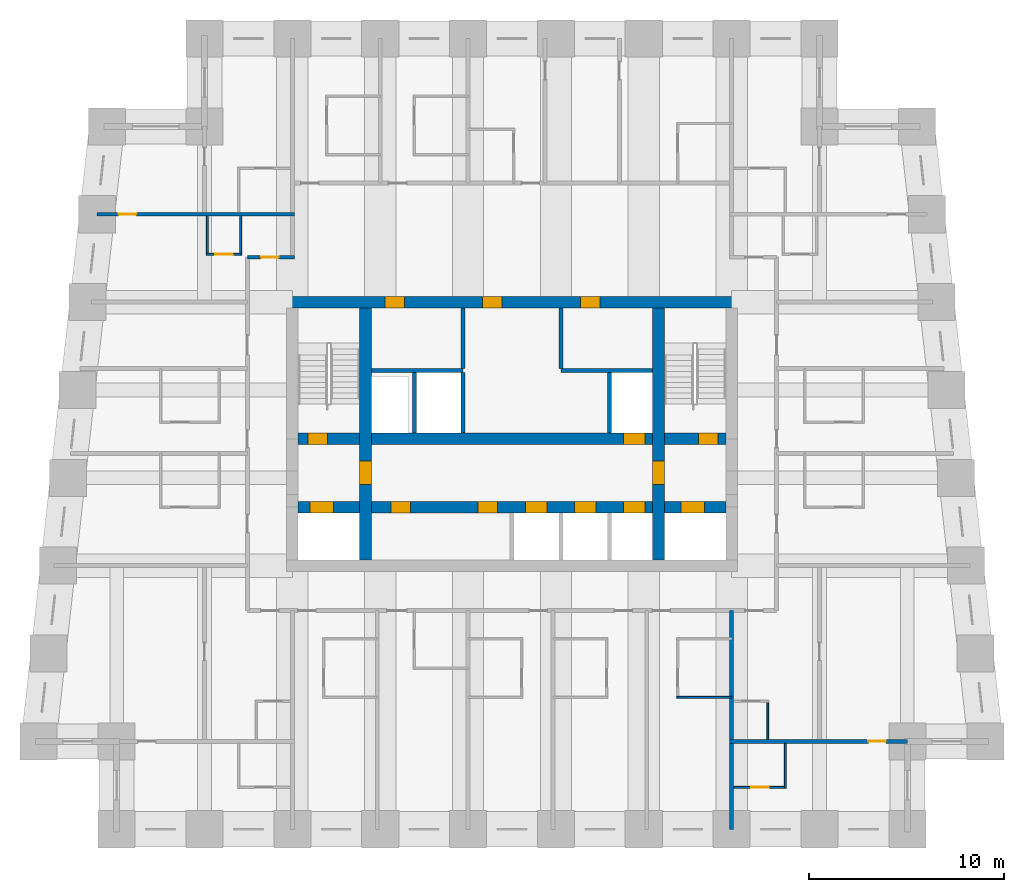
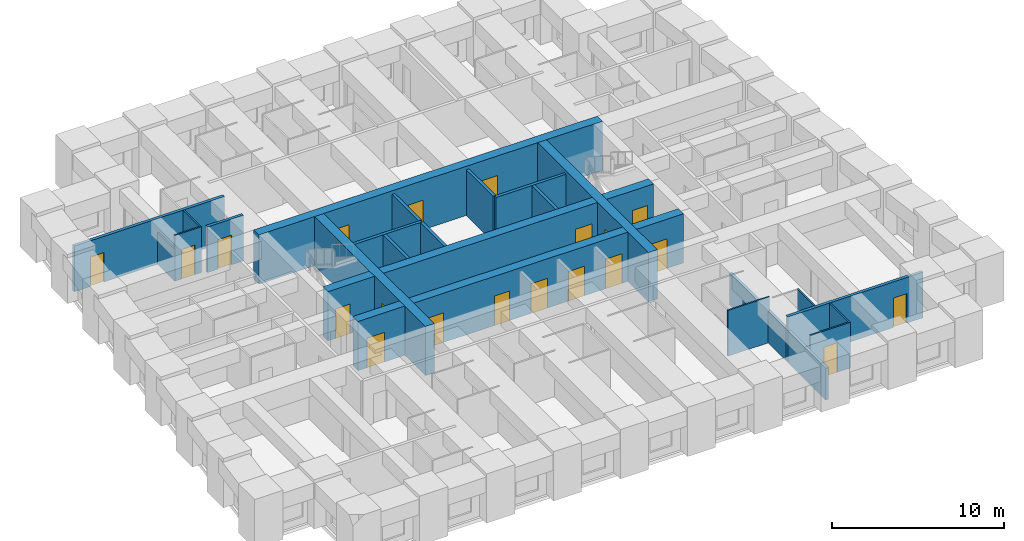
# One storey, part 4 of 8: 23 walls, 20 doors, 20 openings.
"""IFC4 building model written with IfcOpenShell, lengths in metres."""

from ifc_helpers import new_model, si_unit, direction, frame, frame_2d, origin, place, context, subcontext, project, spatial, rectangle, extrude, material, layer, layer_set, type_object, element, fill, save


model = new_model("IFC4")

# Units and contexts
model_context = context("Model", 3, precision=1e-05, world=origin(), true_north=direction((0.0, 1.0)))
body_context = subcontext(model_context, "Body", "Model", "MODEL_VIEW")
ifc_project = project(units=[si_unit("LENGTHUNIT", "METRE"), si_unit("AREAUNIT", "SQUARE_METRE"), si_unit("VOLUMEUNIT", "CUBIC_METRE"), si_unit("PLANEANGLEUNIT", "RADIAN"), si_unit("MASSUNIT", "GRAM", prefix="KILO")], contexts=[model_context])

# Site, building, storey
site_placement = place(None, origin())
site = spatial("IfcSite", under=ifc_project, at=site_placement, CompositionType="ELEMENT")
building_placement = place(site_placement, origin())
building = spatial("IfcBuilding", under=site, at=building_placement, Name="Kilele Tower Hotel", CompositionType="ELEMENT")
storey_placement = place(building_placement, frame((0.0, 0.0, 103.89990234375)))
storey = spatial("IfcBuildingStorey", under=building, at=storey_placement, Name="L26", CompositionType="ELEMENT", Elevation=103.89990234375)

# Walls
ifc_material_1 = material(Name="Moisture-resistant board")
ifc_layer_1 = layer(ifc_material_1, 0.10009765625)
ifc_layer_set_1 = layer_set([ifc_layer_1], Name="Moisture-resistant board")
wall_type_1 = type_object("IfcWallType", Name="Bathroom partition 100", PredefinedType="PLUMBINGWALL", material=ifc_layer_set_1)
wall_1_placement = place(storey_placement, frame((33.199951171875, 6.75, 0.0), z_axis=(0.0, 0.0, 1.0), x_axis=(1.0, 0.0, 0.0)))
element("IfcWall", 1, at=wall_1_placement, inside=storey, type_object=wall_type_1, Name="Bathroom partition 100 L26", PredefinedType="PLUMBINGWALL", context=body_context, shape_type="SweptSolid", body=[
    extrude(rectangle(XDim=2.800048828125, YDim=0.10009765625, at=frame_2d((1.39990234375, 0.0))), origin(), (0.0, 0.0, 1.0), 3.25),
])
wall_2_placement = place(storey_placement, frame((37.85009765625, 4.60009765625, 0.0), z_axis=(0.0, 0.0, 1.0), x_axis=(0.0, 1.0, 0.0)))
element("IfcWall", 2, at=wall_2_placement, inside=storey, type_object=wall_type_1, Name="Bathroom partition 100 L26", PredefinedType="PLUMBINGWALL", context=body_context, shape_type="SweptSolid", body=[
    extrude(rectangle(XDim=2.0, YDim=0.10009765625, at=frame_2d((1.0, 0.0))), origin(), (0.0, 0.0, 1.0), 3.25),
])
wall_3_placement = place(storey_placement, frame((38.75, 4.39990234375, 0.0), z_axis=(0.0, 0.0, 1.0), x_axis=(0.0, -1.0, 0.0)))
element("IfcWall", 3, at=wall_3_placement, inside=storey, type_object=wall_type_1, Name="Bathroom partition 100 L26", PredefinedType="PLUMBINGWALL", context=body_context, shape_type="SweptSolid", body=[
    extrude(rectangle(XDim=2.2998046875, YDim=0.10009765625, at=frame_2d((1.14990234375, 0.0))), origin(), (0.0, 0.0, 1.0), 3.25),
])

# Wall, opening, door
wall_4_placement = place(storey_placement, frame((36.10009765625, 2.14990234375, 0.0), z_axis=(0.0, 0.0, 1.0), x_axis=(1.0, 0.0, 0.0)))
wall_4 = element("IfcWall", 4, at=wall_4_placement, inside=storey, type_object=wall_type_1, Name="Bathroom partition 100 L26", PredefinedType="PLUMBINGWALL", context=body_context, shape_type="SweptSolid", body=[
    extrude(rectangle(XDim=2.699951171875, YDim=0.10009765625, at=frame_2d((1.35009765625, 0.0))), origin(), (0.0, 0.0, 1.0), 3.25),
])
opening_1_placement = place(wall_4_placement, frame((1.7998046875, 0.0, 0.0), z_axis=(0.0, 0.0, 1.0), x_axis=(-1.0, 0.0, 0.0)))
opening_1 = element("IfcOpeningElement", 5, at=opening_1_placement, cuts=wall_4, Name="Opening D2A", PredefinedType="OPENING", context=body_context, shape_type="SweptSolid", body=[
    extrude(rectangle(XDim=0.89990234375, YDim=2.10009765625, at=frame_2d((0.449951171875, 1.050048828125))), frame((0.0, 0.06005859375, 0.0), z_axis=(0.0, -1.0, 0.0), x_axis=(1.0, 0.0, 0.0)), (0.0, 0.0, 1.0), 0.1201171875),
])
ifc_material_2 = material(Name="Timber door leaf in hardwood frame", Category="wood")
door_type_1 = type_object("IfcDoorType", Name="Bathroom door 900", OperationType="SINGLE_SWING_LEFT", PredefinedType="DOOR", material=ifc_material_2)
door_1_placement = place(opening_1_placement, origin())
door_1 = element("IfcDoor", 6, at=door_1_placement, inside=storey, type_object=door_type_1, Name="Bathroom door 2622B", OperationType="SINGLE_SWING_RIGHT", OverallHeight=2.10009765625, OverallWidth=0.89990234375, PredefinedType="DOOR", context=body_context, shape_type="SweptSolid", body=[
    extrude(rectangle(XDim=0.89990234375, YDim=2.10009765625, at=frame_2d((0.449951171875, 1.050048828125))), frame((0.0, 0.02490234375, 0.0), z_axis=(0.0, -1.0, 0.0), x_axis=(1.0, 0.0, 0.0)), (0.0, 0.0, 1.0), 0.050048828125),
])
fill(opening_1, door_1)

# Walls
wall_5_placement = place(storey_placement, frame((9.14990234375, 31.39990234375, 0.0), z_axis=(0.0, 0.0, 1.0), x_axis=(0.0, -1.0, 0.0)))
element("IfcWall", 7, at=wall_5_placement, inside=storey, type_object=wall_type_1, Name="Bathroom partition 100 L26", PredefinedType="PLUMBINGWALL", context=body_context, shape_type="SweptSolid", body=[
    extrude(rectangle(XDim=2.0, YDim=0.10009765625, at=frame_2d((1.0, 0.0))), origin(), (0.0, 0.0, 1.0), 2.25),
])
wall_6_placement = place(storey_placement, frame((10.85009765625, 31.39990234375, 0.0), z_axis=(0.0, 0.0, 1.0), x_axis=(0.0, -1.0, 0.0)))
element("IfcWall", 8, at=wall_6_placement, inside=storey, type_object=wall_type_1, Name="Bathroom partition 100 L26", PredefinedType="PLUMBINGWALL", context=body_context, shape_type="SweptSolid", body=[
    extrude(rectangle(XDim=2.0, YDim=0.10009765625, at=frame_2d((1.0, 0.0))), origin(), (0.0, 0.0, 1.0), 3.25),
])

# Wall, opening, door
wall_7_placement = place(storey_placement, frame((10.89990234375, 29.449951171875, 0.0), z_axis=(0.0, 0.0, 1.0), x_axis=(-1.0, 0.0, 0.0)))
wall_7 = element("IfcWall", 9, at=wall_7_placement, inside=storey, type_object=wall_type_1, Name="Bathroom partition 100 L26", PredefinedType="PLUMBINGWALL", context=body_context, shape_type="SweptSolid", body=[
    extrude(rectangle(XDim=1.7998046875, YDim=0.10009765625, at=frame_2d((0.89990234375, 0.0))), origin(), (0.0, 0.0, 1.0), 3.25),
])
opening_2_placement = place(wall_7_placement, frame((0.449951171875, 0.0, 0.0)))
opening_2 = element("IfcOpeningElement", 10, at=opening_2_placement, cuts=wall_7, Name="Opening D2A", PredefinedType="OPENING", context=body_context, shape_type="SweptSolid", body=[
    extrude(rectangle(XDim=0.89990234375, YDim=2.10009765625, at=frame_2d((0.449951171875, 1.050048828125))), frame((0.0, 0.06005859375, 0.0), z_axis=(0.0, -1.0, 0.0), x_axis=(1.0, 0.0, 0.0)), (0.0, 0.0, 1.0), 0.1201171875),
])
door_2_placement = place(opening_2_placement, origin())
door_2 = element("IfcDoor", 11, at=door_2_placement, inside=storey, type_object=door_type_1, Name="Bathroom door 2626P", OperationType="SINGLE_SWING_LEFT", OverallHeight=2.10009765625, OverallWidth=0.89990234375, PredefinedType="DOOR", context=body_context, shape_type="SweptSolid", body=[
    extrude(rectangle(XDim=0.89990234375, YDim=2.10009765625, at=frame_2d((0.449951171875, 1.050048828125))), frame((0.0, 0.02490234375, 0.0), z_axis=(0.0, -1.0, 0.0), x_axis=(1.0, 0.0, 0.0)), (0.0, 0.0, 1.0), 0.050048828125),
])
fill(opening_2, door_2)

# Wall, openings, doors
ifc_material_3 = material(Name="Concrete C60/75", Category="concrete")
ifc_layer_2 = layer(ifc_material_3, 0.60009765625)
ifc_layer_set_2 = layer_set([ifc_layer_2], Name="Concrete C60/75")
wall_type_2 = type_object("IfcWallType", Name="Core wall 600 C60/75", PredefinedType="SHEAR", material=ifc_layer_set_2)
wall_8_placement = place(storey_placement, frame((36.300048828125, 27.0, 0.0), z_axis=(0.0, 0.0, 1.0), x_axis=(-1.0, 0.0, 0.0)))
wall_8 = element("IfcWall", 12, at=wall_8_placement, inside=storey, type_object=wall_type_2, Name="Core wall N L26", PredefinedType="SHEAR", context=body_context, shape_type="SweptSolid", body=[
    extrude(rectangle(XDim=23.10009765625, YDim=0.60009765625, at=frame_2d((11.550048828125, 0.0))), origin(), (0.0, 0.0, 1.0), 3.5),
])
opening_3_placement = place(wall_8_placement, frame((17.050048828125, 0.0, 0.0)))
opening_3 = element("IfcOpeningElement", 13, at=opening_3_placement, cuts=wall_8, Name="Opening D6", PredefinedType="OPENING", context=body_context, shape_type="SweptSolid", body=[
    extrude(rectangle(XDim=1.0, YDim=2.10009765625, at=frame_2d((0.5, 1.050048828125))), frame((0.0, 0.31005859375, 0.0), z_axis=(0.0, -1.0, 0.0), x_axis=(1.0, 0.0, 0.0)), (0.0, 0.0, 1.0), 0.6201171875),
])
opening_4_placement = place(wall_8_placement, frame((12.050048828125, 0.0, 0.0)))
opening_4 = element("IfcOpeningElement", 14, at=opening_4_placement, cuts=wall_8, Name="Opening D6", PredefinedType="OPENING", context=body_context, shape_type="SweptSolid", body=[
    extrude(rectangle(XDim=1.0, YDim=2.10009765625, at=frame_2d((0.5, 1.050048828125))), frame((0.0, 0.31005859375, 0.0), z_axis=(0.0, -1.0, 0.0), x_axis=(1.0, 0.0, 0.0)), (0.0, 0.0, 1.0), 0.6201171875),
])
opening_5_placement = place(wall_8_placement, frame((7.050048828125, 0.0, 0.0)))
opening_5 = element("IfcOpeningElement", 15, at=opening_5_placement, cuts=wall_8, Name="Opening D6", PredefinedType="OPENING", context=body_context, shape_type="SweptSolid", body=[
    extrude(rectangle(XDim=1.0, YDim=2.10009765625, at=frame_2d((0.5, 1.050048828125))), frame((0.0, 0.31005859375, 0.0), z_axis=(0.0, -1.0, 0.0), x_axis=(1.0, 0.0, 0.0)), (0.0, 0.0, 1.0), 0.6201171875),
])
ifc_material_4 = material(Name="Timber door leaf in hardwood frame", Category="wood")
door_type_2 = type_object("IfcDoorType", Name="Riser door 1000", OperationType="SINGLE_SWING_LEFT", PredefinedType="DOOR", material=ifc_material_4)
door_3_placement = place(opening_3_placement, origin())
door_3 = element("IfcDoor", 16, at=door_3_placement, inside=storey, type_object=door_type_2, Name="Service riser door L26", OperationType="SINGLE_SWING_RIGHT", OverallHeight=2.10009765625, OverallWidth=1.0, PredefinedType="DOOR", context=body_context, shape_type="SweptSolid", body=[
    extrude(rectangle(XDim=1.0, YDim=2.10009765625, at=frame_2d((0.5, 1.050048828125))), frame((0.0, 0.2998046875, 0.0), z_axis=(0.0, -1.0, 0.0), x_axis=(1.0, 0.0, 0.0)), (0.0, 0.0, 1.0), 0.599609375),
])
fill(opening_3, door_3)
door_4_placement = place(opening_4_placement, origin())
door_4 = element("IfcDoor", 17, at=door_4_placement, inside=storey, type_object=door_type_2, Name="Housekeeping linen room door L26", OperationType="SINGLE_SWING_RIGHT", OverallHeight=2.10009765625, OverallWidth=1.0, PredefinedType="DOOR", context=body_context, shape_type="SweptSolid", body=[
    extrude(rectangle(XDim=1.0, YDim=2.10009765625, at=frame_2d((0.5, 1.050048828125))), frame((0.0, 0.2998046875, 0.0), z_axis=(0.0, -1.0, 0.0), x_axis=(1.0, 0.0, 0.0)), (0.0, 0.0, 1.0), 0.599609375),
])
fill(opening_4, door_4)
door_5_placement = place(opening_5_placement, origin())
door_5 = element("IfcDoor", 18, at=door_5_placement, inside=storey, type_object=door_type_2, Name="Electrical riser door L26", OperationType="SINGLE_SWING_RIGHT", OverallHeight=2.10009765625, OverallWidth=1.0, PredefinedType="DOOR", context=body_context, shape_type="SweptSolid", body=[
    extrude(rectangle(XDim=1.0, YDim=2.10009765625, at=frame_2d((0.5, 1.050048828125))), frame((0.0, 0.2998046875, 0.0), z_axis=(0.0, -1.0, 0.0), x_axis=(1.0, 0.0, 0.0)), (0.0, 0.0, 1.0), 0.599609375),
])
fill(opening_5, door_5)

# Wall, opening, door
wall_9_placement = place(storey_placement, frame((17.25, 13.800048828125, 0.0), z_axis=(0.0, 0.0, 1.0), x_axis=(0.0, 1.0, 0.0)))
wall_9 = element("IfcWall", 19, at=wall_9_placement, inside=storey, type_object=wall_type_2, Name="Core wall IW L26", PredefinedType="SHEAR", context=body_context, shape_type="SweptSolid", body=[
    extrude(rectangle(XDim=12.89990234375, YDim=0.60009765625, at=frame_2d((6.449951171875, 0.0))), origin(), (0.0, 0.0, 1.0), 3.5),
])
opening_6_placement = place(wall_9_placement, frame((3.85009765625, 0.0, 0.0)))
opening_6 = element("IfcOpeningElement", 20, at=opening_6_placement, cuts=wall_9, Name="Opening D4", PredefinedType="OPENING", context=body_context, shape_type="SweptSolid", body=[
    extrude(rectangle(XDim=1.199951171875, YDim=2.10009765625, at=frame_2d((0.60009765625, 1.050048828125))), frame((0.0, 0.31005859375, 0.0), z_axis=(0.0, -1.0, 0.0), x_axis=(1.0, 0.0, 0.0)), (0.0, 0.0, 1.0), 0.6201171875),
])
ifc_material_5 = material(Name="Timber door leaf in hardwood frame", Category="wood")
door_type_3 = type_object("IfcDoorType", Name="Firefighting lobby door 1200", OperationType="SINGLE_SWING_LEFT", PredefinedType="DOOR", material=ifc_material_5)
door_6_placement = place(opening_6_placement, origin())
door_6 = element("IfcDoor", 21, at=door_6_placement, inside=storey, type_object=door_type_3, Name="Lobby door L26", OperationType="SINGLE_SWING_LEFT", OverallHeight=2.10009765625, OverallWidth=1.199951171875, PredefinedType="DOOR", context=body_context, shape_type="SweptSolid", body=[
    extrude(rectangle(XDim=1.199951171875, YDim=2.10009765625, at=frame_2d((0.60009765625, 1.050048828125))), frame((0.0, 0.2998046875, 0.0), z_axis=(0.0, -1.0, 0.0), x_axis=(1.0, 0.0, 0.0)), (0.0, 0.0, 1.0), 0.599609375),
])
fill(opening_6, door_6)

wall_10_placement = place(storey_placement, frame((32.25, 13.800048828125, 0.0), z_axis=(0.0, 0.0, 1.0), x_axis=(0.0, 1.0, 0.0)))
wall_10 = element("IfcWall", 22, at=wall_10_placement, inside=storey, type_object=wall_type_2, Name="Core wall IE L26", PredefinedType="SHEAR", context=body_context, shape_type="SweptSolid", body=[
    extrude(rectangle(XDim=12.89990234375, YDim=0.60009765625, at=frame_2d((6.449951171875, 0.0))), origin(), (0.0, 0.0, 1.0), 3.5),
])
opening_7_placement = place(wall_10_placement, frame((5.050048828125, 0.0, 0.0), z_axis=(0.0, 0.0, 1.0), x_axis=(-1.0, 0.0, 0.0)))
opening_7 = element("IfcOpeningElement", 23, at=opening_7_placement, cuts=wall_10, Name="Opening D4", PredefinedType="OPENING", context=body_context, shape_type="SweptSolid", body=[
    extrude(rectangle(XDim=1.199951171875, YDim=2.10009765625, at=frame_2d((0.60009765625, 1.050048828125))), frame((0.0, 0.31005859375, 0.0), z_axis=(0.0, -1.0, 0.0), x_axis=(1.0, 0.0, 0.0)), (0.0, 0.0, 1.0), 0.6201171875),
])
door_7_placement = place(opening_7_placement, origin())
door_7 = element("IfcDoor", 24, at=door_7_placement, inside=storey, type_object=door_type_3, Name="Lobby door L26", OperationType="SINGLE_SWING_RIGHT", OverallHeight=2.10009765625, OverallWidth=1.199951171875, PredefinedType="DOOR", context=body_context, shape_type="SweptSolid", body=[
    extrude(rectangle(XDim=1.199951171875, YDim=2.10009765625, at=frame_2d((0.60009765625, 1.050048828125))), frame((0.0, 0.2998046875, 0.0), z_axis=(0.0, -1.0, 0.0), x_axis=(1.0, 0.0, 0.0)), (0.0, 0.0, 1.0), 0.599609375),
])
fill(opening_7, door_7)

# Wall, openings, doors
wall_11_placement = place(storey_placement, frame((13.800048828125, 16.5, 0.0), z_axis=(0.0, 0.0, 1.0), x_axis=(1.0, 0.0, 0.0)))
wall_11 = element("IfcWall", 25, at=wall_11_placement, inside=storey, type_object=wall_type_2, Name="Core wall LS L26", PredefinedType="SHEAR", context=body_context, shape_type="SweptSolid", body=[
    extrude(rectangle(XDim=21.89990234375, YDim=0.60009765625, at=frame_2d((10.949951171875, 0.0))), origin(), (0.0, 0.0, 1.0), 3.5),
])
opening_8_placement = place(wall_11_placement, frame((11.64990234375, 0.0, 0.0)))
opening_8 = element("IfcOpeningElement", 26, at=opening_8_placement, cuts=wall_11, Name="Opening LD1", PredefinedType="OPENING", context=body_context, shape_type="SweptSolid", body=[
    extrude(rectangle(XDim=1.10009765625, YDim=2.10009765625, at=frame_2d((0.550048828125, 1.050048828125))), frame((0.0, 0.31005859375, 0.0), z_axis=(0.0, -1.0, 0.0), x_axis=(1.0, 0.0, 0.0)), (0.0, 0.0, 1.0), 0.6201171875),
])
opening_9_placement = place(wall_11_placement, frame((14.14990234375, 0.0, 0.0)))
opening_9 = element("IfcOpeningElement", 27, at=opening_9_placement, cuts=wall_11, Name="Opening LD1", PredefinedType="OPENING", context=body_context, shape_type="SweptSolid", body=[
    extrude(rectangle(XDim=1.10009765625, YDim=2.10009765625, at=frame_2d((0.550048828125, 1.050048828125))), frame((0.0, 0.31005859375, 0.0), z_axis=(0.0, -1.0, 0.0), x_axis=(1.0, 0.0, 0.0)), (0.0, 0.0, 1.0), 0.6201171875),
])
opening_10_placement = place(wall_11_placement, frame((16.64990234375, 0.0, 0.0)))
opening_10 = element("IfcOpeningElement", 28, at=opening_10_placement, cuts=wall_11, Name="Opening LD1", PredefinedType="OPENING", context=body_context, shape_type="SweptSolid", body=[
    extrude(rectangle(XDim=1.10009765625, YDim=2.10009765625, at=frame_2d((0.550048828125, 1.050048828125))), frame((0.0, 0.31005859375, 0.0), z_axis=(0.0, -1.0, 0.0), x_axis=(1.0, 0.0, 0.0)), (0.0, 0.0, 1.0), 0.6201171875),
])
opening_11_placement = place(wall_11_placement, frame((5.75, 0.0, 0.0), z_axis=(0.0, 0.0, 1.0), x_axis=(-1.0, 0.0, 0.0)))
opening_11 = element("IfcOpeningElement", 29, at=opening_11_placement, cuts=wall_11, Name="Opening D11", PredefinedType="OPENING", context=body_context, shape_type="SweptSolid", body=[
    extrude(rectangle(XDim=1.0, YDim=2.10009765625, at=frame_2d((0.5, 1.050048828125))), frame((0.0, 0.31005859375, 0.0), z_axis=(0.0, -1.0, 0.0), x_axis=(1.0, 0.0, 0.0)), (0.0, 0.0, 1.0), 0.6201171875),
])
opening_12_placement = place(wall_11_placement, frame((10.199951171875, 0.0, 0.0), z_axis=(0.0, 0.0, 1.0), x_axis=(-1.0, 0.0, 0.0)))
opening_12 = element("IfcOpeningElement", 30, at=opening_12_placement, cuts=wall_11, Name="Opening D11", PredefinedType="OPENING", context=body_context, shape_type="SweptSolid", body=[
    extrude(rectangle(XDim=1.0, YDim=2.10009765625, at=frame_2d((0.5, 1.050048828125))), frame((0.0, 0.31005859375, 0.0), z_axis=(0.0, -1.0, 0.0), x_axis=(1.0, 0.0, 0.0)), (0.0, 0.0, 1.0), 0.6201171875),
])
opening_13_placement = place(wall_11_placement, frame((0.60009765625, 0.0, 0.0)))
opening_13 = element("IfcOpeningElement", 31, at=opening_13_placement, cuts=wall_11, Name="Opening LD2", PredefinedType="OPENING", context=body_context, shape_type="SweptSolid", body=[
    extrude(rectangle(XDim=1.199951171875, YDim=2.10009765625, at=frame_2d((0.60009765625, 1.050048828125))), frame((0.0, 0.31005859375, 0.0), z_axis=(0.0, -1.0, 0.0), x_axis=(1.0, 0.0, 0.0)), (0.0, 0.0, 1.0), 0.6201171875),
])
opening_14_placement = place(wall_11_placement, frame((19.60009765625, 0.0, 0.0)))
opening_14 = element("IfcOpeningElement", 32, at=opening_14_placement, cuts=wall_11, Name="Opening LD2", PredefinedType="OPENING", context=body_context, shape_type="SweptSolid", body=[
    extrude(rectangle(XDim=1.199951171875, YDim=2.10009765625, at=frame_2d((0.60009765625, 1.050048828125))), frame((0.0, 0.31005859375, 0.0), z_axis=(0.0, -1.0, 0.0), x_axis=(1.0, 0.0, 0.0)), (0.0, 0.0, 1.0), 0.6201171875),
])
ifc_material_6 = material(Name="Timber door leaf in hardwood frame", Category="wood")
door_type_4 = type_object("IfcDoorType", Name="Core store door 1000", OperationType="SINGLE_SWING_LEFT", PredefinedType="DOOR", material=ifc_material_6)
door_8_placement = place(opening_11_placement, origin())
door_8 = element("IfcDoor", 33, at=door_8_placement, inside=storey, type_object=door_type_4, Name="Core room door L1 L26", OperationType="SINGLE_SWING_RIGHT", OverallHeight=2.10009765625, OverallWidth=1.0, PredefinedType="DOOR", context=body_context, shape_type="SweptSolid", body=[
    extrude(rectangle(XDim=1.0, YDim=2.10009765625, at=frame_2d((0.5, 1.050048828125))), frame((0.0, 0.2998046875, 0.0), z_axis=(0.0, -1.0, 0.0), x_axis=(1.0, 0.0, 0.0)), (0.0, 0.0, 1.0), 0.599609375),
])
fill(opening_11, door_8)
door_9_placement = place(opening_12_placement, origin())
door_9 = element("IfcDoor", 34, at=door_9_placement, inside=storey, type_object=door_type_4, Name="Core room door L3 L26", OperationType="SINGLE_SWING_LEFT", OverallHeight=2.10009765625, OverallWidth=1.0, PredefinedType="DOOR", context=body_context, shape_type="SweptSolid", body=[
    extrude(rectangle(XDim=1.0, YDim=2.10009765625, at=frame_2d((0.5, 1.050048828125))), frame((0.0, 0.2998046875, 0.0), z_axis=(0.0, -1.0, 0.0), x_axis=(1.0, 0.0, 0.0)), (0.0, 0.0, 1.0), 0.599609375),
])
fill(opening_12, door_9)
ifc_material_7 = material(Name="Steel lift landing door", Category="steel")
door_type_5 = type_object("IfcDoorType", Name="Firefighting lift landing door 1200", OperationType="SLIDING_TO_LEFT", PredefinedType="DOOR", material=ifc_material_7)
door_10_placement = place(opening_13_placement, origin())
door_10 = element("IfcDoor", 35, at=door_10_placement, inside=storey, type_object=door_type_5, Name="Landing door FFW L26", OperationType="SLIDING_TO_LEFT", OverallHeight=2.10009765625, OverallWidth=1.199951171875, PredefinedType="DOOR", context=body_context, shape_type="SweptSolid", body=[
    extrude(rectangle(XDim=1.199951171875, YDim=2.10009765625, at=frame_2d((0.60009765625, 1.050048828125))), frame((0.0, 0.2998046875, 0.0), z_axis=(0.0, -1.0, 0.0), x_axis=(1.0, 0.0, 0.0)), (0.0, 0.0, 1.0), 0.599609375),
])
fill(opening_13, door_10)
door_11_placement = place(opening_14_placement, origin())
door_11 = element("IfcDoor", 36, at=door_11_placement, inside=storey, type_object=door_type_5, Name="Landing door FFE L26", OperationType="SLIDING_TO_LEFT", OverallHeight=2.10009765625, OverallWidth=1.199951171875, PredefinedType="DOOR", context=body_context, shape_type="SweptSolid", body=[
    extrude(rectangle(XDim=1.199951171875, YDim=2.10009765625, at=frame_2d((0.60009765625, 1.050048828125))), frame((0.0, 0.2998046875, 0.0), z_axis=(0.0, -1.0, 0.0), x_axis=(1.0, 0.0, 0.0)), (0.0, 0.0, 1.0), 0.599609375),
])
fill(opening_14, door_11)
ifc_material_8 = material(Name="Steel lift landing door", Category="steel")
door_type_6 = type_object("IfcDoorType", Name="Lift landing door 1100", OperationType="SLIDING_TO_LEFT", PredefinedType="DOOR", material=ifc_material_8)
door_12_placement = place(opening_8_placement, origin())
door_12 = element("IfcDoor", 37, at=door_12_placement, inside=storey, type_object=door_type_6, Name="Landing door M1 L26", OperationType="SLIDING_TO_LEFT", OverallHeight=2.10009765625, OverallWidth=1.10009765625, PredefinedType="DOOR", context=body_context, shape_type="SweptSolid", body=[
    extrude(rectangle(XDim=1.10009765625, YDim=2.10009765625, at=frame_2d((0.550048828125, 1.050048828125))), frame((0.0, 0.2998046875, 0.0), z_axis=(0.0, -1.0, 0.0), x_axis=(1.0, 0.0, 0.0)), (0.0, 0.0, 1.0), 0.599609375),
])
fill(opening_8, door_12)
door_13_placement = place(opening_9_placement, origin())
door_13 = element("IfcDoor", 38, at=door_13_placement, inside=storey, type_object=door_type_6, Name="Landing door M2 L26", OperationType="SLIDING_TO_LEFT", OverallHeight=2.10009765625, OverallWidth=1.10009765625, PredefinedType="DOOR", context=body_context, shape_type="SweptSolid", body=[
    extrude(rectangle(XDim=1.10009765625, YDim=2.10009765625, at=frame_2d((0.550048828125, 1.050048828125))), frame((0.0, 0.2998046875, 0.0), z_axis=(0.0, -1.0, 0.0), x_axis=(1.0, 0.0, 0.0)), (0.0, 0.0, 1.0), 0.599609375),
])
fill(opening_9, door_13)
door_14_placement = place(opening_10_placement, origin())
door_14 = element("IfcDoor", 39, at=door_14_placement, inside=storey, type_object=door_type_6, Name="Landing door M3 L26", OperationType="SLIDING_TO_LEFT", OverallHeight=2.10009765625, OverallWidth=1.10009765625, PredefinedType="DOOR", context=body_context, shape_type="SweptSolid", body=[
    extrude(rectangle(XDim=1.10009765625, YDim=2.10009765625, at=frame_2d((0.550048828125, 1.050048828125))), frame((0.0, 0.2998046875, 0.0), z_axis=(0.0, -1.0, 0.0), x_axis=(1.0, 0.0, 0.0)), (0.0, 0.0, 1.0), 0.599609375),
])
fill(opening_10, door_14)

wall_12_placement = place(storey_placement, frame((13.800048828125, 20.0, 0.0), z_axis=(0.0, 0.0, 1.0), x_axis=(1.0, 0.0, 0.0)))
wall_12 = element("IfcWall", 40, at=wall_12_placement, inside=storey, type_object=wall_type_2, Name="Core wall LN L26", PredefinedType="SHEAR", context=body_context, shape_type="SweptSolid", body=[
    extrude(rectangle(XDim=21.89990234375, YDim=0.60009765625, at=frame_2d((10.949951171875, 0.0))), origin(), (0.0, 0.0, 1.0), 3.5),
])
opening_15_placement = place(wall_12_placement, frame((0.5, 0.0, 0.0)))
opening_15 = element("IfcOpeningElement", 41, at=opening_15_placement, cuts=wall_12, Name="Opening D5", PredefinedType="OPENING", context=body_context, shape_type="SweptSolid", body=[
    extrude(rectangle(XDim=1.0, YDim=2.10009765625, at=frame_2d((0.5, 1.050048828125))), frame((0.0, 0.31005859375, 0.0), z_axis=(0.0, -1.0, 0.0), x_axis=(1.0, 0.0, 0.0)), (0.0, 0.0, 1.0), 0.6201171875),
])
opening_16_placement = place(wall_12_placement, frame((20.5, 0.0, 0.0)))
opening_16 = element("IfcOpeningElement", 42, at=opening_16_placement, cuts=wall_12, Name="Opening D5", PredefinedType="OPENING", context=body_context, shape_type="SweptSolid", body=[
    extrude(rectangle(XDim=1.0, YDim=2.10009765625, at=frame_2d((0.5, 1.050048828125))), frame((0.0, 0.31005859375, 0.0), z_axis=(0.0, -1.0, 0.0), x_axis=(1.0, 0.0, 0.0)), (0.0, 0.0, 1.0), 0.6201171875),
])
opening_17_placement = place(wall_12_placement, frame((16.64990234375, 0.0, 0.0)))
opening_17 = element("IfcOpeningElement", 43, at=opening_17_placement, cuts=wall_12, Name="Opening LD1", PredefinedType="OPENING", context=body_context, shape_type="SweptSolid", body=[
    extrude(rectangle(XDim=1.10009765625, YDim=2.10009765625, at=frame_2d((0.550048828125, 1.050048828125))), frame((0.0, 0.31005859375, 0.0), z_axis=(0.0, -1.0, 0.0), x_axis=(1.0, 0.0, 0.0)), (0.0, 0.0, 1.0), 0.6201171875),
])
door_15_placement = place(opening_17_placement, origin())
door_15 = element("IfcDoor", 44, at=door_15_placement, inside=storey, type_object=door_type_6, Name="Landing door G1 L26", OperationType="SLIDING_TO_LEFT", OverallHeight=2.10009765625, OverallWidth=1.10009765625, PredefinedType="DOOR", context=body_context, shape_type="SweptSolid", body=[
    extrude(rectangle(XDim=1.10009765625, YDim=2.10009765625, at=frame_2d((0.550048828125, 1.050048828125))), frame((0.0, 0.2998046875, 0.0), z_axis=(0.0, -1.0, 0.0), x_axis=(1.0, 0.0, 0.0)), (0.0, 0.0, 1.0), 0.599609375),
])
fill(opening_17, door_15)
ifc_material_9 = material(Name="Timber door leaf in hardwood frame", Category="wood")
door_type_7 = type_object("IfcDoorType", Name="Stair door 1000", OperationType="SINGLE_SWING_LEFT", PredefinedType="DOOR", material=ifc_material_9)
door_16_placement = place(opening_15_placement, origin())
door_16 = element("IfcDoor", 45, at=door_16_placement, inside=storey, type_object=door_type_7, Name="Stair 1 door L26", OperationType="SINGLE_SWING_LEFT", OverallHeight=2.10009765625, OverallWidth=1.0, PredefinedType="DOOR", context=body_context, shape_type="SweptSolid", body=[
    extrude(rectangle(XDim=1.0, YDim=2.10009765625, at=frame_2d((0.5, 1.050048828125))), frame((0.0, 0.2998046875, 0.0), z_axis=(0.0, -1.0, 0.0), x_axis=(1.0, 0.0, 0.0)), (0.0, 0.0, 1.0), 0.599609375),
])
fill(opening_15, door_16)
door_17_placement = place(opening_16_placement, origin())
door_17 = element("IfcDoor", 46, at=door_17_placement, inside=storey, type_object=door_type_7, Name="Stair 2 door L26", OperationType="SINGLE_SWING_RIGHT", OverallHeight=2.10009765625, OverallWidth=1.0, PredefinedType="DOOR", context=body_context, shape_type="SweptSolid", body=[
    extrude(rectangle(XDim=1.0, YDim=2.10009765625, at=frame_2d((0.5, 1.050048828125))), frame((0.0, 0.2998046875, 0.0), z_axis=(0.0, -1.0, 0.0), x_axis=(1.0, 0.0, 0.0)), (0.0, 0.0, 1.0), 0.599609375),
])
fill(opening_16, door_17)

# Wall, opening, door
ifc_material_10 = material(Name="Blockwork, plastered both sides", Category="masonry")
ifc_layer_3 = layer(ifc_material_10, 0.199951171875)
ifc_layer_set_3 = layer_set([ifc_layer_3], Name="Blockwork, plastered both sides")
wall_type_3 = type_object("IfcWallType", Name="Corridor wall 200", PredefinedType="PARTITIONING", material=ifc_layer_set_3)
wall_13_placement = place(storey_placement, frame((11.199951171875, 29.300048828125, 0.0), z_axis=(0.0, 0.0, 1.0), x_axis=(1.0, 0.0, 0.0)))
wall_13 = element("IfcWall", 47, at=wall_13_placement, inside=storey, type_object=wall_type_3, Name="Corridor wall 200 L26", PredefinedType="PARTITIONING", context=body_context, shape_type="SweptSolid", body=[
    extrude(rectangle(XDim=2.400146484375, YDim=0.199951171875, at=frame_2d((1.2001953125, 0.0))), origin(), (0.0, 0.0, 1.0), 3.25),
])
opening_18_placement = place(wall_13_placement, frame((0.699951171875, 0.0, 0.0)))
opening_18 = element("IfcOpeningElement", 48, at=opening_18_placement, cuts=wall_13, Name="Opening D1", PredefinedType="OPENING", context=body_context, shape_type="SweptSolid", body=[
    extrude(rectangle(XDim=0.89990234375, YDim=2.10009765625, at=frame_2d((0.449951171875, 1.050048828125))), frame((0.0, 0.10986328125, 0.0), z_axis=(0.0, -1.0, 0.0), x_axis=(1.0, 0.0, 0.0)), (0.0, 0.0, 1.0), 0.219970703125),
])
ifc_material_11 = material(Name="Timber door leaf in hardwood frame", Category="wood")
door_type_8 = type_object("IfcDoorType", Name="Guest room entrance door 900", OperationType="SINGLE_SWING_LEFT", PredefinedType="DOOR", material=ifc_material_11)
door_18_placement = place(opening_18_placement, origin())
door_18 = element("IfcDoor", 49, at=door_18_placement, inside=storey, type_object=door_type_8, Name="Room entrance 2626", OperationType="SINGLE_SWING_RIGHT", OverallHeight=2.10009765625, OverallWidth=0.89990234375, PredefinedType="DOOR", context=body_context, shape_type="SweptSolid", body=[
    extrude(rectangle(XDim=0.89990234375, YDim=2.10009765625, at=frame_2d((0.449951171875, 1.050048828125))), frame((0.0, 0.02490234375, 0.0), z_axis=(0.0, -1.0, 0.0), x_axis=(1.0, 0.0, 0.0)), (0.0, 0.0, 1.0), 0.050048828125),
])
fill(opening_18, door_18)

# Wall
ifc_material_12 = material(Name="Blockwork, plastered both sides", Category="masonry")
ifc_layer_4 = layer(ifc_material_12, 0.199951171875)
ifc_layer_set_4 = layer_set([ifc_layer_4], Name="Blockwork, plastered both sides")
wall_type_4 = type_object("IfcWallType", Name="Party wall 200", PredefinedType="PARTITIONING", material=ifc_layer_set_4)
wall_14_placement = place(storey_placement, frame((36.0, 11.199951171875, 0.0), z_axis=(0.0, 0.0, 1.0), x_axis=(0.0, -1.0, 0.0)))
element("IfcWall", 50, at=wall_14_placement, inside=storey, type_object=wall_type_4, Name="Party wall 200 L26", PredefinedType="PARTITIONING", context=body_context, shape_type="SweptSolid", body=[
    extrude(rectangle(XDim=11.199951171875, YDim=0.199951171875, at=frame_2d((5.60009765625, 0.0))), origin(), (0.0, 0.0, 1.0), 2.25),
])

# Wall, opening, door
wall_15_placement = place(storey_placement, frame((35.89990234375, 4.5, 0.0), z_axis=(0.0, 0.0, 1.0), x_axis=(1.0, 0.0, 0.0)))
wall_15 = element("IfcWall", 51, at=wall_15_placement, inside=storey, type_object=wall_type_4, Name="Party wall 200 L26", PredefinedType="PARTITIONING", context=body_context, shape_type="SweptSolid", body=[
    extrude(rectangle(XDim=9.10009765625, YDim=0.199951171875, at=frame_2d((4.550048828125, 0.0))), origin(), (0.0, 0.0, 1.0), 3.25),
])
opening_19_placement = place(wall_15_placement, frame((7.10009765625, 0.0, 0.0)))
opening_19 = element("IfcOpeningElement", 52, at=opening_19_placement, cuts=wall_15, Name="Opening D3", PredefinedType="OPENING", context=body_context, shape_type="SweptSolid", body=[
    extrude(rectangle(XDim=0.89990234375, YDim=2.10009765625, at=frame_2d((0.449951171875, 1.050048828125))), frame((0.0, 0.10986328125, 0.0), z_axis=(0.0, -1.0, 0.0), x_axis=(1.0, 0.0, 0.0)), (0.0, 0.0, 1.0), 0.219970703125),
])
ifc_material_13 = material(Name="Timber door leaf in hardwood frame", Category="wood")
door_type_9 = type_object("IfcDoorType", Name="Suite internal door 900", OperationType="SINGLE_SWING_LEFT", PredefinedType="DOOR", material=ifc_material_13)
door_19_placement = place(opening_19_placement, origin())
door_19 = element("IfcDoor", 53, at=door_19_placement, inside=storey, type_object=door_type_9, Name="Suite door 2622", OperationType="SINGLE_SWING_RIGHT", OverallHeight=2.10009765625, OverallWidth=0.89990234375, PredefinedType="DOOR", context=body_context, shape_type="SweptSolid", body=[
    extrude(rectangle(XDim=0.89990234375, YDim=2.10009765625, at=frame_2d((0.449951171875, 1.050048828125))), frame((0.0, 0.02490234375, 0.0), z_axis=(0.0, -1.0, 0.0), x_axis=(1.0, 0.0, 0.0)), (0.0, 0.0, 1.0), 0.050048828125),
])
fill(opening_19, door_19)

wall_16_placement = place(storey_placement, frame((13.60009765625, 31.5, 0.0), z_axis=(0.0, 0.0, 1.0), x_axis=(-1.0, 0.0, 0.0)))
wall_16 = element("IfcWall", 54, at=wall_16_placement, inside=storey, type_object=wall_type_4, Name="Party wall 200 L26", PredefinedType="PARTITIONING", context=body_context, shape_type="SweptSolid", body=[
    extrude(rectangle(XDim=10.09912109375, YDim=0.199951171875, at=frame_2d((5.049560546875, 0.0))), origin(), (0.0, 0.0, 1.0), 3.25),
])
opening_20_placement = place(wall_16_placement, frame((8.9990234375, 0.0, 0.0), z_axis=(0.0, 0.0, 1.0), x_axis=(-1.0, 0.0, 0.0)))
opening_20 = element("IfcOpeningElement", 55, at=opening_20_placement, cuts=wall_16, Name="Opening D3", PredefinedType="OPENING", context=body_context, shape_type="SweptSolid", body=[
    extrude(rectangle(XDim=0.89990234375, YDim=2.10009765625, at=frame_2d((0.449951171875, 1.050048828125))), frame((0.0, 0.10986328125, 0.0), z_axis=(0.0, -1.0, 0.0), x_axis=(1.0, 0.0, 0.0)), (0.0, 0.0, 1.0), 0.219970703125),
])
door_20_placement = place(opening_20_placement, origin())
door_20 = element("IfcDoor", 56, at=door_20_placement, inside=storey, type_object=door_type_9, Name="Suite door 2627", OperationType="SINGLE_SWING_LEFT", OverallHeight=2.10009765625, OverallWidth=0.89990234375, PredefinedType="DOOR", context=body_context, shape_type="SweptSolid", body=[
    extrude(rectangle(XDim=0.89990234375, YDim=2.10009765625, at=frame_2d((0.449951171875, 1.050048828125))), frame((0.0, 0.02490234375, 0.0), z_axis=(0.0, -1.0, 0.0), x_axis=(1.0, 0.0, 0.0)), (0.0, 0.0, 1.0), 0.050048828125),
])
fill(opening_20, door_20)

# Walls
ifc_material_14 = material(Name="Blockwork, fire-rated", Category="masonry")
ifc_layer_5 = layer(ifc_material_14, 0.199951171875)
ifc_layer_set_5 = layer_set([ifc_layer_5], Name="Blockwork, fire-rated")
wall_type_5 = type_object("IfcWallType", Name="Shaft wall 200", PredefinedType="PARTITIONING", material=ifc_layer_set_5)
for number, where, z_axis, x_axis, name in (
    (57, (19.75, 20.300048828125, 0.0), (0.0, 0.0, 1.0), (0.0, 1.0, 0.0), "Shaft wall 200 L26"),
    (58, (22.25, 20.300048828125, 0.0), (0.0, 0.0, 1.0), (0.0, 1.0, 0.0), "Shaft wall 200 L26"),
    (59, (29.75, 20.300048828125, 0.0), (0.0, 0.0, 1.0), (0.0, 1.0, 0.0), "Shaft wall 200 L26"),
):
    element("IfcWall", number, at=place(storey_placement, frame(where, z_axis=z_axis, x_axis=x_axis)), inside=storey, type_object=wall_type_5, Name=name, PredefinedType="PARTITIONING", context=body_context, shape_type="SweptSolid", body=[
        extrude(rectangle(XDim=3.099853515625, YDim=0.199951171875, at=frame_2d((1.5498046875, 0.0))), origin(), (0.0, 0.0, 1.0), 3.25),
    ])
for number, where, z_axis, x_axis, name in (
    (60, (17.550048828125, 23.5, 0.0), (0.0, 0.0, 1.0), (1.0, 0.0, 0.0), "Shaft wall 200 L26"),
    (61, (27.25, 23.5, 0.0), (0.0, 0.0, 1.0), (1.0, 0.0, 0.0), "Shaft wall 200 L26"),
):
    element("IfcWall", number, at=place(storey_placement, frame(where, z_axis=z_axis, x_axis=x_axis)), inside=storey, type_object=wall_type_5, Name=name, PredefinedType="PARTITIONING", context=body_context, shape_type="SweptSolid", body=[
        extrude(rectangle(XDim=4.699951171875, YDim=0.199951171875, at=frame_2d((2.35009765625, 0.0))), origin(), (0.0, 0.0, 1.0), 3.25),
    ])
for number, where, z_axis, x_axis, name in (
    (62, (22.25, 23.60009765625, 0.0), (0.0, 0.0, 1.0), (0.0, 1.0, 0.0), "Shaft wall 200 L26"),
    (63, (27.25, 23.60009765625, 0.0), (0.0, 0.0, 1.0), (0.0, 1.0, 0.0), "Shaft wall 200 L26"),
):
    element("IfcWall", number, at=place(storey_placement, frame(where, z_axis=z_axis, x_axis=x_axis)), inside=storey, type_object=wall_type_5, Name=name, PredefinedType="PARTITIONING", context=body_context, shape_type="SweptSolid", body=[
        extrude(rectangle(XDim=3.099853515625, YDim=0.199951171875, at=frame_2d((1.5498046875, 0.0))), origin(), (0.0, 0.0, 1.0), 3.25),
    ])

save(model, "model.ifc")
